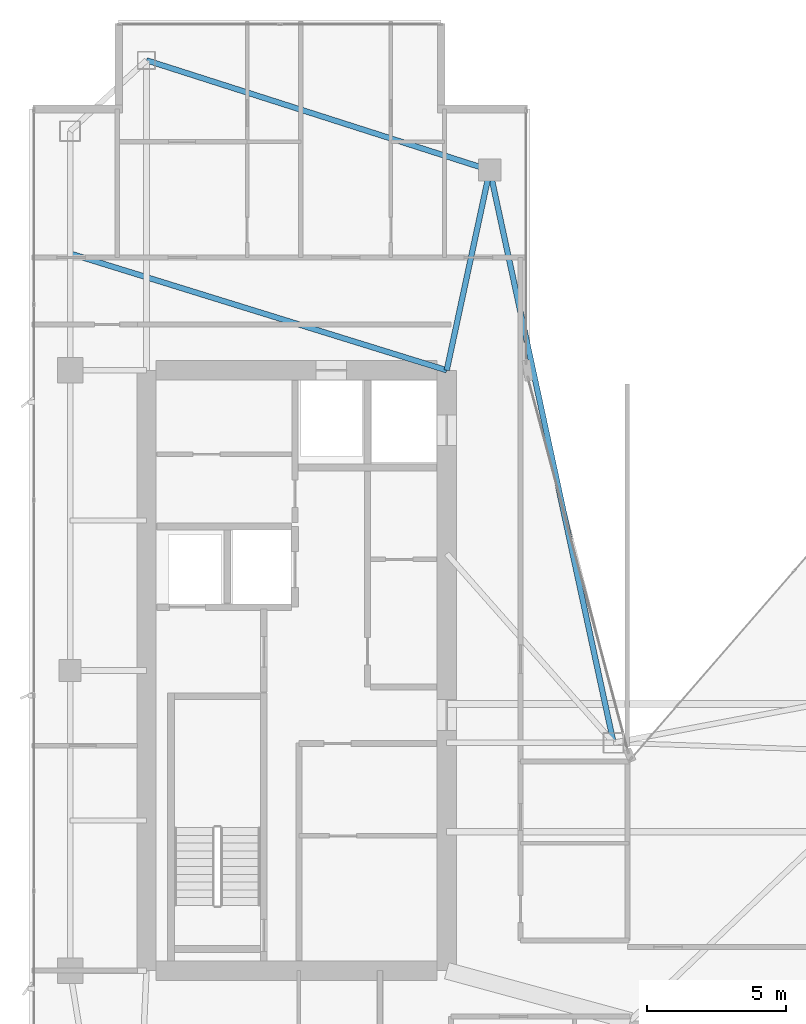
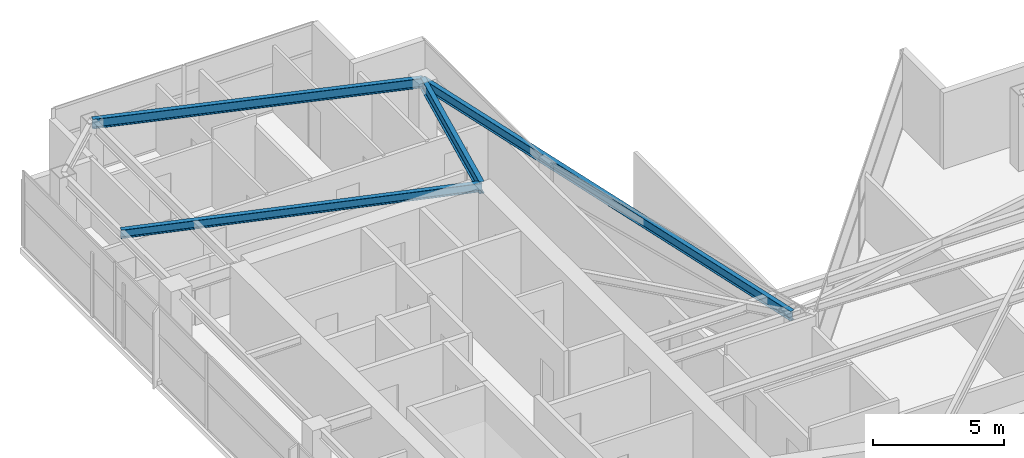
# One storey, part 18 of 29: 4 beams.
"""IFC4 building model written with IfcOpenShell, lengths in metres."""

from ifc_helpers import new_model, si_unit, direction, frame, origin, origin_2d, place, context, subcontext, project, spatial, i_section, extrude, material, material_profile, profile_set, type_object, element, save


model = new_model("IFC4")

# Units and contexts
model_context = context("Model", 3, precision=1e-05, world=origin(), true_north=direction((0.0, 1.0)))
body_context = subcontext(model_context, "Body", "Model", "MODEL_VIEW")
ifc_project = project(units=[si_unit("LENGTHUNIT", "METRE"), si_unit("AREAUNIT", "SQUARE_METRE"), si_unit("VOLUMEUNIT", "CUBIC_METRE"), si_unit("PLANEANGLEUNIT", "RADIAN"), si_unit("MASSUNIT", "GRAM", prefix="KILO")], contexts=[model_context])

# Site, building, storey
site_placement = place(None, origin())
site = spatial("IfcSite", under=ifc_project, at=site_placement, CompositionType="ELEMENT")
building_placement = place(site_placement, origin())
building = spatial("IfcBuilding", under=site, at=building_placement, Name="Calvorn Quay Hotel", CompositionType="ELEMENT")
storey_placement = place(building_placement, frame((0.0, 0.0, 255.199951171875)))
storey = spatial("IfcBuildingStorey", under=building, at=storey_placement, Name="L63", CompositionType="ELEMENT", Elevation=255.199951171875)

# Beams
ifc_material_1 = material(Name="Steel Q355B", Category="steel")
ifc_material_profile_1 = material_profile(ifc_material_1, i_section(OverallWidth=0.199951171875, OverallDepth=0.550048828125, WebThickness=0.010009765625, FlangeThickness=0.01611328125, FilletRadius=0.01806640625, at=origin_2d()), Name="HN550x200x10x16")
ifc_profile_set_1 = profile_set([ifc_material_profile_1], Name="Steel Q355B")
beam_type_1 = type_object("IfcBeamType", Name="BM-GIRD-UPP", PredefinedType="BEAM", material=ifc_profile_set_1)
beam_1_placement = place(storey_placement, frame((16.550048828125, 45.60009765625, 3.26513671875), z_axis=(-0.210457140491, -0.97760308511, 0.0), x_axis=(0.97760308511, -0.210457140491, 0.0)))
element("IfcBeam", 1, at=beam_1_placement, inside=storey, type_object=beam_type_1, Name="Beam BG-L63-W6", PredefinedType="BEAM", context=body_context, shape_type="SweptSolid", body=[
    extrude(i_section(OverallWidth=0.199951171875, OverallDepth=0.550048828125, WebThickness=0.010009765625, FlangeThickness=0.01611328125, FilletRadius=0.01806640625, at=origin_2d()), origin(), (0.0, 0.0, 1.0), 7.365234375),
])
ifc_material_2 = material(Name="Steel Q355B", Category="steel")
ifc_material_profile_2 = material_profile(ifc_material_2, i_section(OverallWidth=0.199951171875, OverallDepth=0.39990234375, WebThickness=0.008056640625, FlangeThickness=0.012939453125, FilletRadius=0.01611328125, at=origin_2d()), Name="HN400x200x8x13")
ifc_profile_set_2 = profile_set([ifc_material_profile_2], Name="Steel Q355B")
beam_type_2 = type_object("IfcBeamType", Name="BM-JOIST-TYP", PredefinedType="JOIST", material=ifc_profile_set_2)
beam_2_placement = place(storey_placement, frame((1.449951171875, 42.60009765625, 3.340087890625), z_axis=(0.955163702122, -0.296078202759, 0.0), x_axis=(0.296078202759, 0.955163702122, 0.0)))
element("IfcBeam", 2, at=beam_2_placement, inside=storey, type_object=beam_type_2, Name="Beam BJ-L63-W2", PredefinedType="JOIST", context=body_context, shape_type="SweptSolid", body=[
    extrude(i_section(OverallWidth=0.199951171875, OverallDepth=0.39990234375, WebThickness=0.008056640625, FlangeThickness=0.012939453125, FilletRadius=0.01611328125, at=origin_2d()), origin(), (0.0, 0.0, 1.0), 14.18603515625),
])
ifc_material_3 = material(Name="Steel Q355B", Category="steel")
ifc_material_profile_3 = material_profile(ifc_material_3, i_section(OverallWidth=0.199951171875, OverallDepth=0.449951171875, WebThickness=0.009033203125, FlangeThickness=0.013916015625, FilletRadius=0.01611328125, at=origin_2d()), Name="HN450x200x9x14")
ifc_profile_set_3 = profile_set([ifc_material_profile_3], Name="Steel Q355B")
beam_type_3 = type_object("IfcBeamType", Name="BM-SPANDREL-Z3", PredefinedType="SPANDREL", material=ifc_profile_set_3)
beam_3_placement = place(storey_placement, frame((4.199951171875, 49.550048828125, 3.31494140625), z_axis=(0.952470702374, -0.304630203885, 0.0), x_axis=(0.304630203885, 0.952470702374, 0.0)))
element("IfcBeam", 3, at=beam_3_placement, inside=storey, type_object=beam_type_3, Name="Beam BSP-L63-W6", PredefinedType="SPANDREL", context=body_context, shape_type="SweptSolid", body=[
    extrude(i_section(OverallWidth=0.199951171875, OverallDepth=0.449951171875, WebThickness=0.009033203125, FlangeThickness=0.013916015625, FilletRadius=0.01611328125, at=origin_2d()), origin(), (0.0, 0.0, 1.0), 12.96630859375),
])
beam_4_placement = place(storey_placement, frame((16.550048828125, 45.60009765625, 3.31494140625), z_axis=(0.211145848376, -0.977454567084, 0.0), x_axis=(0.977454567084, 0.211145848376, 0.0)))
element("IfcBeam", 4, at=beam_4_placement, inside=storey, type_object=beam_type_3, Name="Beam BSP-L63-W7", PredefinedType="SPANDREL", context=body_context, shape_type="SweptSolid", body=[
    extrude(i_section(OverallWidth=0.199951171875, OverallDepth=0.449951171875, WebThickness=0.009033203125, FlangeThickness=0.013916015625, FilletRadius=0.01611328125, at=origin_2d()), origin(), (0.0, 0.0, 1.0), 21.0751953125),
])

save(model, "model.ifc")
